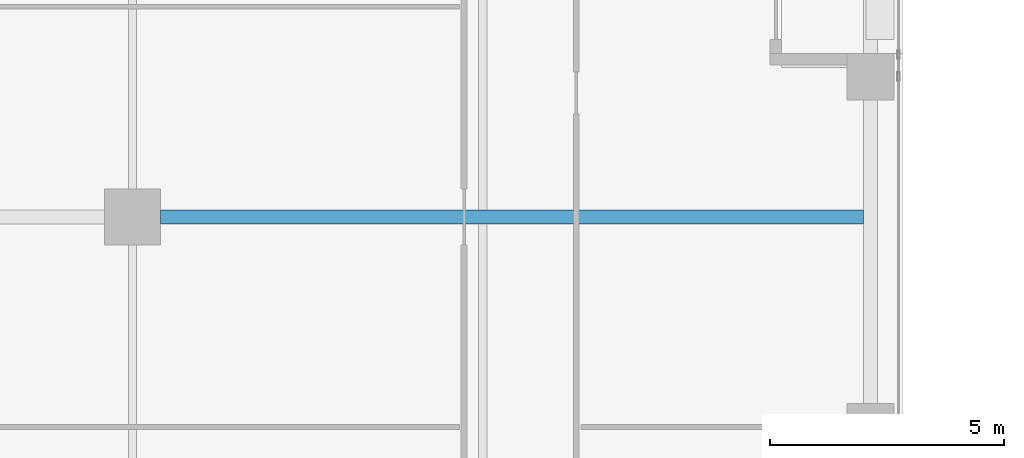
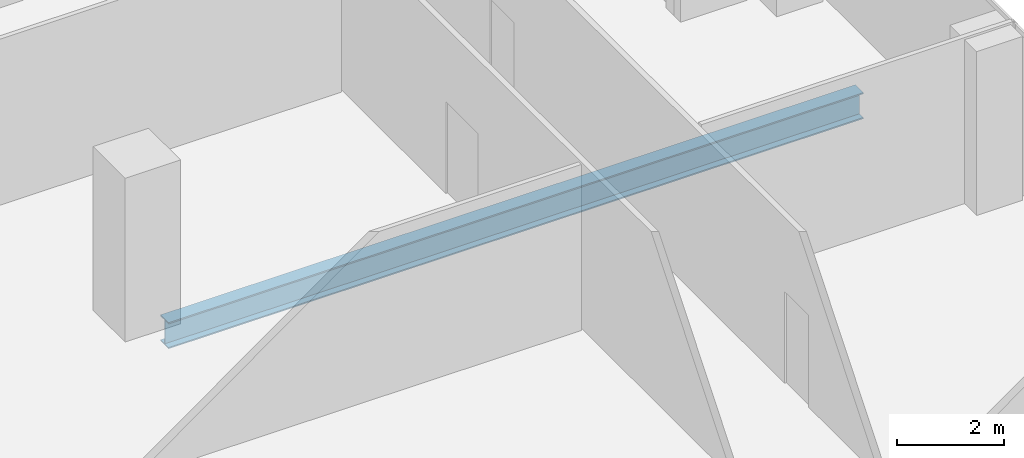
# One storey, part 15 of 38: 1 beam.
"""IFC4 building model written with IfcOpenShell, lengths in metres."""

import ifcopenshell
import ifcopenshell.guid

model = None  # the IFC model being written
_history = None  # IfcOwnerHistory: only IFC2X3 demands one
_inside = {}  # id of a spatial element -> (the spatial element, [elements in it])
_under = {}  # id of a project, library or spatial element -> (it, [spatial elements below it])
_declared = {}  # id of a project -> (the project, [libraries it declares])
_typed = {}  # id of a type object -> (the type object, [elements of that type])
_made_of = {}  # id of a material, layer set ... -> (it, [elements and type objects made of it])


def new_model(schema):
    """Start an empty IFC model of exactly this schema.

    Asked for "IFC4X3", IfcOpenShell would pick the latest addendum, in which some entities
    have other attributes; the version numbers below select the first issue.
    IFC2X3 requires an IfcOwnerHistory on every rooted entity: one is made here for all.
    """
    global model, _history
    if schema == "IFC4X3":
        model = ifcopenshell.file(schema_version=(4, 3, 0, 0))
    else:
        model = ifcopenshell.file(schema=schema)
    _inside.clear()
    _under.clear()
    _declared.clear()
    _typed.clear()
    _made_of.clear()
    _history = None
    if model.schema == "IFC2X3":
        org = make("IfcOrganization", Name="unknown")
        user = make(
            "IfcPersonAndOrganization",
            ThePerson=make("IfcPerson", FamilyName="unknown"),
            TheOrganization=org,
        )
        app = make(
            "IfcApplication",
            ApplicationDeveloper=org,
            Version="unknown",
            ApplicationFullName="unknown",
            ApplicationIdentifier="unknown",
        )
        _history = make(
            "IfcOwnerHistory",
            OwningUser=user,
            OwningApplication=app,
            ChangeAction="ADDED",
            CreationDate=0,
        )
    return model


def make(cls, **values):
    """One entity of the class cls with the attributes given. An attribute that is None is left unset."""
    return model.create_entity(
        cls, **{name: value for name, value in values.items() if value is not None}
    )


def rooted(cls, **values):
    """An entity with a GlobalId (a new one), such as an element, a storey or a relation."""
    return make(cls, GlobalId=ifcopenshell.guid.new(), OwnerHistory=_history, **values)


def si_unit(unit_type, name, prefix=None):
    """IfcSIUnit, for example si_unit("LENGTHUNIT", "METRE", prefix="MILLI")."""
    return make("IfcSIUnit", UnitType=unit_type, Prefix=prefix, Name=name)


def assignment(units):
    """IfcUnitAssignment: the units of a project."""
    return None if units is None else make("IfcUnitAssignment", Units=units)


def point(xyz):
    """IfcCartesianPoint."""
    return None if xyz is None else make("IfcCartesianPoint", Coordinates=xyz)


def direction(xyz):
    """IfcDirection."""
    return None if xyz is None else make("IfcDirection", DirectionRatios=xyz)


def frame(location, z_axis=None, x_axis=None):
    """IfcAxis2Placement3D, a coordinate frame: its origin and axes. An axis left out is left unset."""
    return make(
        "IfcAxis2Placement3D",
        Location=point(location),
        Axis=direction(z_axis),
        RefDirection=direction(x_axis),
    )


def frame_2d(location, x_axis=None):
    """IfcAxis2Placement2D, a coordinate frame in the plane: its origin and x axis."""
    return make(
        "IfcAxis2Placement2D", Location=point(location), RefDirection=direction(x_axis)
    )


def origin():
    """The frame at (0, 0, 0) with its axes left unset."""
    return frame((0.0, 0.0, 0.0))


def origin_2d():
    """The frame at (0, 0) in the plane with its x axis left unset."""
    return frame_2d((0.0, 0.0))


def place(relative_to, where):
    """IfcLocalPlacement: puts the frame where relative to a parent placement (None: the world)."""
    return make(
        "IfcLocalPlacement", PlacementRelTo=relative_to, RelativePlacement=where
    )


def context(
    kind, dimensions, precision=None, world=None, true_north=None, identifier=None
):
    """IfcGeometricRepresentationContext, for example the 3D "Model" context."""
    return make(
        "IfcGeometricRepresentationContext",
        ContextIdentifier=identifier,
        ContextType=kind,
        CoordinateSpaceDimension=dimensions,
        Precision=precision,
        WorldCoordinateSystem=world,
        TrueNorth=true_north,
    )


def subcontext(parent, identifier, kind, view, scale=None):
    """IfcGeometricRepresentationSubContext, for example "Body" below "Model"."""
    return make(
        "IfcGeometricRepresentationSubContext",
        ContextIdentifier=identifier,
        ContextType=kind,
        ParentContext=parent,
        TargetScale=scale,
        TargetView=view,
    )


def project(units=None, contexts=None):
    """IfcProject with its units and contexts."""
    return rooted(
        "IfcProject",
        Name="project",
        RepresentationContexts=contexts,
        UnitsInContext=assignment(units),
    )


def spatial(cls, under=None, at=None, **own):
    """A site, building, storey or space (cls), placed at a placement, below another one or the project."""
    s = rooted(cls, ObjectPlacement=at, **own)
    if under is not None:
        _under.setdefault(under.id(), (under, []))[1].append(s)
    return s


def profile(cls, at=None, kind="AREA", **sizes):
    """A parametric profile (cls). Its sizes go by their IFC names, for example OverallWidth=200.0."""
    return make(cls, ProfileType=kind, Position=at, **sizes)


def i_section(**sizes):
    """IfcIShapeProfileDef."""
    return profile("IfcIShapeProfileDef", **sizes)


def extrude(swept, where, along, depth):
    """IfcExtrudedAreaSolid: the profile swept, set in the frame where, extruded along a direction by depth."""
    return make(
        "IfcExtrudedAreaSolid",
        SweptArea=swept,
        Position=where,
        ExtrudedDirection=direction(along),
        Depth=depth,
    )


def shape(context_of_items, identifier, shape_type, items):
    """IfcShapeRepresentation: the items that make up one representation, for example the "Body"."""
    return make(
        "IfcShapeRepresentation",
        ContextOfItems=context_of_items,
        RepresentationIdentifier=identifier,
        RepresentationType=shape_type,
        Items=items,
    )


def source(mapping_origin, context_of_items, identifier, shape_type, items):
    """IfcRepresentationMap: a shape defined once, which mapped items show again and again."""
    return make(
        "IfcRepresentationMap",
        MappingOrigin=mapping_origin,
        MappedRepresentation=shape(context_of_items, identifier, shape_type, items),
    )


def transform(
    local_origin,
    x_axis=None,
    y_axis=None,
    z_axis=None,
    scale=None,
    scale2=None,
    scale3=None,
    uniform=True,
):
    """IfcCartesianTransformationOperator3D, or its non-uniform kind. x_axis, y_axis, z_axis: its Axis1, 2, 3."""
    if uniform:
        return make(
            "IfcCartesianTransformationOperator3D",
            Axis1=direction(x_axis),
            Axis2=direction(y_axis),
            LocalOrigin=point(local_origin),
            Scale=scale,
            Axis3=direction(z_axis),
        )
    return make(
        "IfcCartesianTransformationOperator3DnonUniform",
        Axis1=direction(x_axis),
        Axis2=direction(y_axis),
        LocalOrigin=point(local_origin),
        Scale=scale,
        Axis3=direction(z_axis),
        Scale2=scale2,
        Scale3=scale3,
    )


def mapped(mapping_source, mapping_target):
    """IfcMappedItem: shows the shape of a source again, moved by a transform."""
    return make(
        "IfcMappedItem", MappingSource=mapping_source, MappingTarget=mapping_target
    )


def material(Name=None, Category=None):
    """IfcMaterial."""
    return make("IfcMaterial", Name=Name, Category=Category)


def material_profile(
    of_material, cross_section, Name=None, Category=None, Priority=None
):
    """IfcMaterialProfile: a cross section and its material."""
    return make(
        "IfcMaterialProfile",
        Name=Name,
        Material=of_material,
        Profile=cross_section,
        Priority=Priority,
        Category=Category,
    )


def profile_set(profiles, Name=None, composite=None):
    """IfcMaterialProfileSet."""
    return make(
        "IfcMaterialProfileSet",
        Name=Name,
        MaterialProfiles=profiles,
        CompositeProfile=composite,
    )


def made_of(thing, what):
    """Note that an element or type object is made of a material, layer set ...; save() writes the relation."""
    if what is not None:
        _made_of.setdefault(what.id(), (what, []))[1].append(thing)
    return thing


def type_object(cls, material=None, **own):
    """A type object (cls), such as IfcWallType, which elements share."""
    return made_of(rooted(cls, **own), material)


def element(
    cls,
    number,
    at=None,
    inside=None,
    cuts=None,
    type_object=None,
    material=None,
    context=None,
    identifier="Body",
    shape_type=None,
    held_by="IfcProductDefinitionShape",
    body=None,
    shapes=None,
    **own,
):
    """One element of the class cls, such as IfcWall. Its Tag is "e" and its number.

    at: its placement. inside: the storey or other place that contains it. cuts: it is an
    opening in that element (IfcRelVoidsElement). A single representation is given by context,
    identifier, shape_type and body (its items); several are given by shapes. held_by: the class
    of the entity that holds the representations. save() writes the other relations.
    """
    e = rooted(cls, Tag="e%d" % number, ObjectPlacement=at, **own)
    if body is not None:
        shapes = [shape(context, identifier, shape_type, body)]
    if shapes is not None:
        e.Representation = make(held_by, Representations=shapes)
    if inside is not None:
        _inside.setdefault(inside.id(), (inside, []))[1].append(e)
    if cuts is not None:
        rooted(
            "IfcRelVoidsElement", RelatingBuildingElement=cuts, RelatedOpeningElement=e
        )
    if type_object is not None:
        _typed.setdefault(type_object.id(), (type_object, []))[1].append(e)
    return made_of(e, material)


def aggregate(whole, parts):
    """IfcRelAggregates: a whole, such as a stair, and the parts it consists of."""
    return rooted("IfcRelAggregates", RelatingObject=whole, RelatedObjects=parts)


def save(model, path):
    """Write the relations noted so far, then the file.

    IfcRelAggregates (storeys below a building ...), IfcRelContainedInSpatialStructure (elements
    in a storey), IfcRelDefinesByType, IfcRelAssociatesMaterial and IfcRelDeclares: one each for
    every whole, place, type object, material and project.
    """
    for whole, parts in _under.values():
        aggregate(whole, parts)
    for where, things in _inside.values():
        rooted(
            "IfcRelContainedInSpatialStructure",
            RelatedElements=things,
            RelatingStructure=where,
        )
    for kind, things in _typed.values():
        rooted("IfcRelDefinesByType", RelatedObjects=things, RelatingType=kind)
    for what, things in _made_of.values():
        rooted("IfcRelAssociatesMaterial", RelatedObjects=things, RelatingMaterial=what)
    for by, libraries in _declared.values():
        rooted("IfcRelDeclares", RelatingContext=by, RelatedDefinitions=libraries)
    model.write(path)


model = new_model("IFC4")

# Units and contexts
model_context = context("Model", 3, precision=1e-05, world=origin(), true_north=direction((0.0, 1.0)))
body_context = subcontext(model_context, "Body", "Model", "MODEL_VIEW")
ifc_project = project(units=[si_unit("LENGTHUNIT", "METRE"), si_unit("AREAUNIT", "SQUARE_METRE"), si_unit("VOLUMEUNIT", "CUBIC_METRE"), si_unit("PLANEANGLEUNIT", "RADIAN"), si_unit("MASSUNIT", "GRAM", prefix="KILO")], contexts=[model_context])

# Site, building, storey
site_placement = place(None, origin())
site = spatial("IfcSite", under=ifc_project, at=site_placement, CompositionType="ELEMENT")
building_placement = place(site_placement, origin())
building = spatial("IfcBuilding", under=site, at=building_placement, Name="Khomas Fold Tower", CompositionType="ELEMENT")
storey_placement = place(building_placement, frame((0.0, 0.0, 196.699951171875)))
storey = spatial("IfcBuildingStorey", under=building, at=storey_placement, Name="L43", CompositionType="ELEMENT", Elevation=196.699951171875)

# Beam
ifc_material = material(Name="Steel S355", Category="steel")
ifc_material_profile = material_profile(ifc_material, i_section(OverallWidth=0.300048828125, OverallDepth=0.60009765625, WebThickness=0.015380859375, FlangeThickness=0.030029296875, at=origin_2d()), Name="HE 600 B")
ifc_profile_set = profile_set([ifc_material_profile], Name="Steel S355")
beam_type = type_object("IfcBeamType", Name="HE 600 B beam GB5", PredefinedType="BEAM", material=ifc_profile_set)
shared_shape = source(origin(), body_context, "Body", "SweptSolid", [
    extrude(i_section(OverallWidth=0.300048828125, OverallDepth=0.60009765625, WebThickness=0.015380859375, FlangeThickness=0.030029296875, at=origin_2d()), origin(), (0.0, 0.0, 1.0), 15.0498046875),
])
beam_placement = place(storey_placement, frame((35.10009765625, 31.5, -0.550048828125), z_axis=(1.0, 0.0, 0.0), x_axis=(0.0, 1.0, 0.0)))
element("IfcBeam", 1, at=beam_placement, inside=storey, type_object=beam_type, Name="GB5", PredefinedType="BEAM", context=body_context, shape_type="MappedRepresentation", body=[
    mapped(shared_shape, transform((0.0, 0.0, 0.0))),
])

save(model, "model.ifc")
